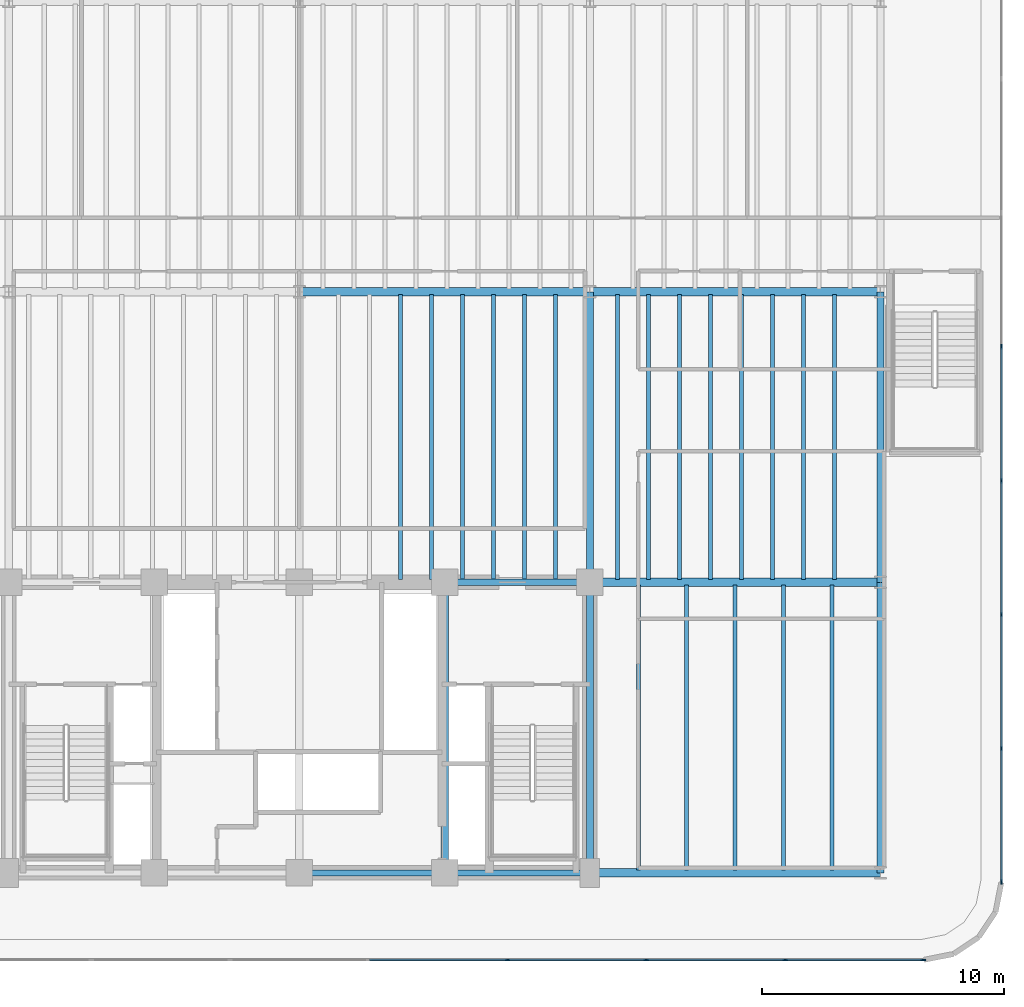
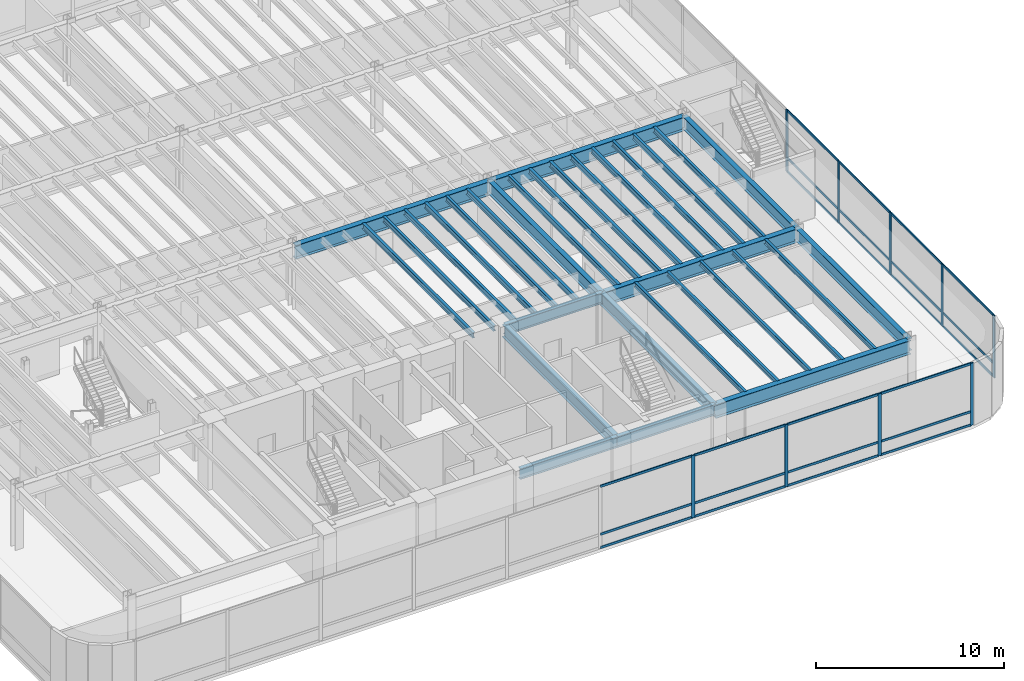
# One storey, part 5 of 18: 33 members, 31 beams, 2 elements without a shape of their own.
"""IFC4 building model written with IfcOpenShell, lengths in metres."""

from ifc_helpers import new_model, si_unit, direction, frame, origin, origin_2d, place, context, subcontext, project, spatial, rectangle, i_section, extrude, source, transform, mapped, material, layer, layer_set, material_profile, profile_set, type_object, element, aggregate, save


model = new_model("IFC4")

# Units and contexts
model_context = context("Model", 3, precision=1e-05, world=origin(), true_north=direction((0.0, 1.0)))
body_context = subcontext(model_context, "Body", "Model", "MODEL_VIEW")
ifc_project = project(units=[si_unit("LENGTHUNIT", "METRE"), si_unit("AREAUNIT", "SQUARE_METRE"), si_unit("VOLUMEUNIT", "CUBIC_METRE"), si_unit("PLANEANGLEUNIT", "RADIAN"), si_unit("MASSUNIT", "GRAM", prefix="KILO")], contexts=[model_context])

# Site, building, storey
site_placement = place(None, origin())
site = spatial("IfcSite", under=ifc_project, at=site_placement, CompositionType="ELEMENT")
building_placement = place(site_placement, origin())
building = spatial("IfcBuilding", under=site, at=building_placement, Name="Brelvock Crest Care Tower", CompositionType="ELEMENT")
storey_placement = place(building_placement, frame((0.0, 0.0, 5.39990234375)))
storey = spatial("IfcBuildingStorey", under=building, at=storey_placement, Name="L01", CompositionType="ELEMENT", Elevation=5.39990234375)

# Beams
ifc_material_1 = material(Name="Steel Grade 350", Category="steel")
ifc_material_profile_1 = material_profile(ifc_material_1, i_section(OverallWidth=0.25, OverallDepth=0.699951171875, WebThickness=0.011962890625, FlangeThickness=0.02001953125, at=origin_2d()), Name="700WB150")
ifc_profile_set_1 = profile_set([ifc_material_profile_1], Name="Steel Grade 350")
beam_type_1 = type_object("IfcBeamType", Name="BM-G4", PredefinedType="BEAM", material=ifc_profile_set_1)
shared_shape_1 = source(origin(), body_context, "Body", "SweptSolid", [
    extrude(i_section(OverallWidth=0.25, OverallDepth=0.699951171875, WebThickness=0.011962890625, FlangeThickness=0.02001953125, at=origin_2d()), origin(), (0.0, 0.0, 1.0), 6.0),
])
for number, where, z_axis, x_axis, name in (
    (1, (36.0, 6.0, 3.690185546875), (1.0, 0.0, 0.0), (0.0, 1.0, 0.0), "BM-CORES-L01-3"),
    (2, (42.0, 6.0, 3.690185546875), (1.0, 0.0, 0.0), (0.0, 1.0, 0.0), "BM-CORES-L01-4"),
    (3, (42.0, 18.0, 3.690185546875), (1.0, 0.0, 0.0), (0.0, 1.0, 0.0), "BM-COREN-L01-4"),
):
    element("IfcBeam", number, at=place(storey_placement, frame(where, z_axis=z_axis, x_axis=x_axis)), inside=storey, type_object=beam_type_1, Name=name, PredefinedType="BEAM", context=body_context, shape_type="MappedRepresentation", body=[
        mapped(shared_shape_1, transform((0.0, 0.0, 0.0), x_axis=(1.0, 0.0, 0.0), y_axis=(0.0, 1.0, 0.0), z_axis=(0.0, 0.0, 1.0), scale=1.0)),
    ])
ifc_material_profile_2 = material_profile(ifc_material_1, i_section(OverallWidth=0.300048828125, OverallDepth=0.800048828125, WebThickness=0.013916015625, FlangeThickness=0.02197265625, at=origin_2d()), Name="800WB192")
ifc_profile_set_2 = profile_set([ifc_material_profile_2], Name="Steel Grade 350")
beam_type_2 = type_object("IfcBeamType", Name="BM-G5", PredefinedType="BEAM", material=ifc_profile_set_2)
shared_shape_2 = source(origin(), body_context, "Body", "SweptSolid", [
    extrude(i_section(OverallWidth=0.300048828125, OverallDepth=0.800048828125, WebThickness=0.013916015625, FlangeThickness=0.02197265625, at=origin_2d()), origin(), (0.0, 0.0, 1.0), 12.0),
])
for number, where, z_axis, x_axis, name in (
    (4, (42.0, 6.0, 3.64013671875), (0.0, 1.0, 0.0), (-1.0, 0.0, 0.0), "BM-COREX-L01-4"),
    (5, (48.0, 6.0, 3.64013671875), (0.0, 1.0, 0.0), (-1.0, 0.0, 0.0), "BM-COREX-L01-5"),
    (6, (48.0, 18.0, 3.64013671875), (0.0, 1.0, 0.0), (-1.0, 0.0, 0.0), "BM-PODY-L01-48-18"),
    (7, (60.0, 6.0, 3.64013671875), (0.0, 1.0, 0.0), (-1.0, 0.0, 0.0), "BM-PODY-L01-60-6"),
    (8, (60.0, 18.0, 3.64013671875), (0.0, 1.0, 0.0), (-1.0, 0.0, 0.0), "BM-PODY-L01-60-18"),
):
    element("IfcBeam", number, at=place(storey_placement, frame(where, z_axis=z_axis, x_axis=x_axis)), inside=storey, type_object=beam_type_2, Name=name, PredefinedType="BEAM", context=body_context, shape_type="MappedRepresentation", body=[
        mapped(shared_shape_2, transform((0.0, 0.0, 0.0), x_axis=(1.0, 0.0, 0.0), y_axis=(0.0, 1.0, 0.0), z_axis=(0.0, 0.0, 1.0), scale=1.0)),
    ])
ifc_material_profile_3 = material_profile(ifc_material_1, i_section(OverallWidth=0.35009765625, OverallDepth=0.89990234375, WebThickness=0.01611328125, FlangeThickness=0.028076171875, at=origin_2d()), Name="900WB257")
ifc_profile_set_3 = profile_set([ifc_material_profile_3], Name="Steel Grade 350")
beam_type_3 = type_object("IfcBeamType", Name="BM-G6", PredefinedType="BEAM", material=ifc_profile_set_3)
shared_shape_3 = source(origin(), body_context, "Body", "SweptSolid", [
    extrude(i_section(OverallWidth=0.35009765625, OverallDepth=0.89990234375, WebThickness=0.01611328125, FlangeThickness=0.028076171875, at=origin_2d()), origin(), (0.0, 0.0, 1.0), 12.0),
])
for number, where, z_axis, x_axis, name in (
    (9, (48.0, 6.0, 3.590087890625), (1.0, 0.0, 0.0), (0.0, 1.0, 0.0), "BM-PODX-L01-6-48"),
    (10, (48.0, 18.0, 3.590087890625), (1.0, 0.0, 0.0), (0.0, 1.0, 0.0), "BM-PODX-L01-18-48"),
    (11, (36.0, 30.0, 3.590087890625), (1.0, 0.0, 0.0), (0.0, 1.0, 0.0), "BM-PODX-L01-30-36"),
    (12, (48.0, 30.0, 3.590087890625), (1.0, 0.0, 0.0), (0.0, 1.0, 0.0), "BM-PODX-L01-30-48"),
):
    element("IfcBeam", number, at=place(storey_placement, frame(where, z_axis=z_axis, x_axis=x_axis)), inside=storey, type_object=beam_type_3, Name=name, PredefinedType="BEAM", context=body_context, shape_type="MappedRepresentation", body=[
        mapped(shared_shape_3, transform((0.0, 0.0, 0.0), x_axis=(1.0, 0.0, 0.0), y_axis=(0.0, 1.0, 0.0), z_axis=(0.0, 0.0, 1.0), scale=1.0)),
    ])
ifc_material_profile_4 = material_profile(ifc_material_1, i_section(OverallWidth=0.172119140625, OverallDepth=0.35888671875, WebThickness=0.008056640625, FlangeThickness=0.012939453125, FilletRadius=0.011474609375, at=origin_2d()), Name="360UB56.7")
ifc_profile_set_4 = profile_set([ifc_material_profile_4], Name="Steel Grade 350")
beam_type_4 = type_object("IfcBeamType", Name="BM-J1", PredefinedType="JOIST", material=ifc_profile_set_4)
shared_shape_4 = source(origin(), body_context, "Body", "SweptSolid", [
    extrude(i_section(OverallWidth=0.172119140625, OverallDepth=0.35888671875, WebThickness=0.008056640625, FlangeThickness=0.012939453125, FilletRadius=0.011474609375, at=origin_2d()), origin(), (0.0, 0.0, 1.0), 11.77001953125),
])
for number, where, z_axis, x_axis, name in (
    (13, (40.179931640625, 18.114990234375, 3.860595703125), (0.0, 1.0, 0.0), (-1.0, 0.0, 0.0), "BM-PODJ-L01-4018-18"),
    (14, (41.4599609375, 18.114990234375, 3.860595703125), (0.0, 1.0, 0.0), (-1.0, 0.0, 0.0), "BM-PODJ-L01-4146-18"),
    (15, (42.739990234375, 18.114990234375, 3.860595703125), (0.0, 1.0, 0.0), (-1.0, 0.0, 0.0), "BM-PODJ-L01-4274-18"),
    (16, (44.02001953125, 18.114990234375, 3.860595703125), (0.0, 1.0, 0.0), (-1.0, 0.0, 0.0), "BM-PODJ-L01-4402-18"),
    (17, (45.300048828125, 18.114990234375, 3.860595703125), (0.0, 1.0, 0.0), (-1.0, 0.0, 0.0), "BM-PODJ-L01-4530-18"),
    (18, (46.580078125, 18.114990234375, 3.860595703125), (0.0, 1.0, 0.0), (-1.0, 0.0, 0.0), "BM-PODJ-L01-4658-18"),
    (19, (49.139892578125, 18.114990234375, 3.860595703125), (0.0, 1.0, 0.0), (-1.0, 0.0, 0.0), "BM-PODJ-L01-4914-18"),
    (20, (50.419921875, 18.114990234375, 3.860595703125), (0.0, 1.0, 0.0), (-1.0, 0.0, 0.0), "BM-PODJ-L01-5042-18"),
    (21, (51.699951171875, 18.114990234375, 3.860595703125), (0.0, 1.0, 0.0), (-1.0, 0.0, 0.0), "BM-PODJ-L01-5170-18"),
    (22, (52.97998046875, 18.114990234375, 3.860595703125), (0.0, 1.0, 0.0), (-1.0, 0.0, 0.0), "BM-PODJ-L01-5298-18"),
    (23, (54.260009765625, 18.114990234375, 3.860595703125), (0.0, 1.0, 0.0), (-1.0, 0.0, 0.0), "BM-PODJ-L01-5426-18"),
    (24, (55.5400390625, 18.114990234375, 3.860595703125), (0.0, 1.0, 0.0), (-1.0, 0.0, 0.0), "BM-PODJ-L01-5554-18"),
    (25, (56.820068359375, 18.114990234375, 3.860595703125), (0.0, 1.0, 0.0), (-1.0, 0.0, 0.0), "BM-PODJ-L01-5682-18"),
    (26, (58.10009765625, 18.114990234375, 3.860595703125), (0.0, 1.0, 0.0), (-1.0, 0.0, 0.0), "BM-PODJ-L01-5810-18"),
):
    element("IfcBeam", number, at=place(storey_placement, frame(where, z_axis=z_axis, x_axis=x_axis)), inside=storey, type_object=beam_type_4, Name=name, PredefinedType="JOIST", context=body_context, shape_type="MappedRepresentation", body=[
        mapped(shared_shape_4, transform((0.0, 0.0, 0.0), x_axis=(1.0, 0.0, 0.0), y_axis=(0.0, 1.0, 0.0), z_axis=(0.0, 0.0, 1.0), scale=1.0)),
    ])
ifc_material_profile_5 = material_profile(ifc_material_1, i_section(OverallWidth=0.166015625, OverallDepth=0.306884765625, WebThickness=0.006591796875, FlangeThickness=0.01171875, FilletRadius=0.011474609375, at=origin_2d()), Name="310UB46.2")
ifc_profile_set_5 = profile_set([ifc_material_profile_5], Name="Steel Grade 350")
beam_type_5 = type_object("IfcBeamType", Name="BM-J2", PredefinedType="JOIST", material=ifc_profile_set_5)
shared_shape_5 = source(origin(), body_context, "Body", "SweptSolid", [
    extrude(i_section(OverallWidth=0.166015625, OverallDepth=0.306884765625, WebThickness=0.006591796875, FlangeThickness=0.01171875, FilletRadius=0.011474609375, at=origin_2d()), origin(), (0.0, 0.0, 1.0), 11.77001953125),
])
for number, where, z_axis, x_axis, name in (
    (27, (50.0, 6.114990234375, 3.88671875), (0.0, 1.0, 0.0), (-1.0, 0.0, 0.0), "BM-PODSJ-L01-500"),
    (28, (52.0, 6.114990234375, 3.88671875), (0.0, 1.0, 0.0), (-1.0, 0.0, 0.0), "BM-PODSJ-L01-520"),
    (29, (54.0, 6.114990234375, 3.88671875), (0.0, 1.0, 0.0), (-1.0, 0.0, 0.0), "BM-PODSJ-L01-540"),
    (30, (56.0, 6.114990234375, 3.88671875), (0.0, 1.0, 0.0), (-1.0, 0.0, 0.0), "BM-PODSJ-L01-560"),
    (31, (58.0, 6.114990234375, 3.88671875), (0.0, 1.0, 0.0), (-1.0, 0.0, 0.0), "BM-PODSJ-L01-580"),
):
    element("IfcBeam", number, at=place(storey_placement, frame(where, z_axis=z_axis, x_axis=x_axis)), inside=storey, type_object=beam_type_5, Name=name, PredefinedType="JOIST", context=body_context, shape_type="MappedRepresentation", body=[
        mapped(shared_shape_5, transform((0.0, 0.0, 0.0), x_axis=(1.0, 0.0, 0.0), y_axis=(0.0, 1.0, 0.0), z_axis=(0.0, 0.0, 1.0), scale=1.0)),
    ])

# Curtain wall, members
ifc_material_2 = material(Name="Dark Glass Double Glazed Low-E", Category="glass")
ifc_layer = layer(ifc_material_2, 0.179931640625, Name="CWS-1")
ifc_layer_set = layer_set([ifc_layer], Name="Dark Glass Double Glazed Low-E")
curtain_wall_type = type_object("IfcCurtainWallType", Name="CWS-1", PredefinedType="NOTDEFINED", material=ifc_layer_set)
curtain_wall_1_placement = place(storey_placement, origin())
curtain_wall_1 = element("IfcCurtainWall", 32, at=curtain_wall_1_placement, inside=storey, type_object=curtain_wall_type, Name="L01 Curtain Wall E14", PredefinedType="NOTDEFINED")
ifc_material_3 = material(Name="Aluminium 6063-T6", Category="aluminium")
ifc_material_profile_6 = material_profile(ifc_material_3, rectangle(XDim=0.06494140625, YDim=0.199951171875, at=origin_2d()), Name="ALU65x200")
ifc_profile_set_6 = profile_set([ifc_material_profile_6], Name="Aluminium 6063-T6")
member_type_1 = type_object("IfcMemberType", Name="CWM-1", PredefinedType="MULLION", material=ifc_profile_set_6)
shared_shape_6 = source(origin(), body_context, "Body", "SweptSolid", [
    extrude(rectangle(XDim=0.06494140625, YDim=0.199951171875, at=origin_2d()), origin(), (0.0, 0.0, 1.0), 4.0400390625),
])
member_1_placement = place(storey_placement, frame((65.0, 27.7333984375, 0.0), z_axis=(0.0, 0.0, 1.0), x_axis=(1.0, 0.0, 0.0)))
member_1 = element("IfcMember", 33, at=member_1_placement, type_object=member_type_1, Name="CW-1 mullion 6", PredefinedType="MULLION", context=body_context, shape_type="MappedRepresentation", body=[
    mapped(shared_shape_6, transform((0.0, 0.0, 0.0), x_axis=(1.0, 0.0, 0.0), y_axis=(0.0, 1.0, 0.0), z_axis=(0.0, 0.0, 1.0), scale=1.0)),
])
member_2_placement = place(storey_placement, frame((65.0, 22.199951171875, 0.0), z_axis=(0.0, 0.0, 1.0), x_axis=(1.0, 0.0, 0.0)))
member_2 = element("IfcMember", 34, at=member_2_placement, type_object=member_type_1, Name="CW-1 mullion 7", PredefinedType="MULLION", context=body_context, shape_type="MappedRepresentation", body=[
    mapped(shared_shape_6, transform((0.0, 0.0, 0.0), x_axis=(1.0, 0.0, 0.0), y_axis=(0.0, 1.0, 0.0), z_axis=(0.0, 0.0, 1.0), scale=1.0)),
])
member_3_placement = place(storey_placement, frame((65.0, 16.666748046875, 0.0), z_axis=(0.0, 0.0, 1.0), x_axis=(1.0, 0.0, 0.0)))
member_3 = element("IfcMember", 35, at=member_3_placement, type_object=member_type_1, Name="CW-1 mullion 8", PredefinedType="MULLION", context=body_context, shape_type="MappedRepresentation", body=[
    mapped(shared_shape_6, transform((0.0, 0.0, 0.0), x_axis=(1.0, 0.0, 0.0), y_axis=(0.0, 1.0, 0.0), z_axis=(0.0, 0.0, 1.0), scale=1.0)),
])
member_4_placement = place(storey_placement, frame((65.0, 11.13330078125, 0.0), z_axis=(0.0, 0.0, 1.0), x_axis=(1.0, 0.0, 0.0)))
member_4 = element("IfcMember", 36, at=member_4_placement, type_object=member_type_1, Name="CW-1 mullion 9", PredefinedType="MULLION", context=body_context, shape_type="MappedRepresentation", body=[
    mapped(shared_shape_6, transform((0.0, 0.0, 0.0), x_axis=(1.0, 0.0, 0.0), y_axis=(0.0, 1.0, 0.0), z_axis=(0.0, 0.0, 1.0), scale=1.0)),
])
member_5_placement = place(storey_placement, frame((65.0, 5.632568359375, 0.0), z_axis=(0.0, 0.0, 1.0), x_axis=(1.0, 0.0, 0.0)))
member_5 = element("IfcMember", 37, at=member_5_placement, type_object=member_type_1, Name="CW-1 mullion 10", PredefinedType="MULLION", context=body_context, shape_type="MappedRepresentation", body=[
    mapped(shared_shape_6, transform((0.0, 0.0, 0.0), x_axis=(1.0, 0.0, 0.0), y_axis=(0.0, 1.0, 0.0), z_axis=(0.0, 0.0, 1.0), scale=1.0)),
])

curtain_wall_2_placement = place(storey_placement, origin())
curtain_wall_2 = element("IfcCurtainWall", 38, at=curtain_wall_2_placement, inside=storey, type_object=curtain_wall_type, Name="L01 Curtain Wall E19", PredefinedType="NOTDEFINED")
member_6_placement = place(storey_placement, frame((61.767578125, 2.39990234375, 0.0), z_axis=(0.0, 0.0, 1.0), x_axis=(0.0, -1.0, 0.0)))
member_6 = element("IfcMember", 39, at=member_6_placement, type_object=member_type_1, Name="CW-1 mullion 1", PredefinedType="MULLION", context=body_context, shape_type="MappedRepresentation", body=[
    mapped(shared_shape_6, transform((0.0, 0.0, 0.0), x_axis=(1.0, 0.0, 0.0), y_axis=(0.0, 1.0, 0.0), z_axis=(0.0, 0.0, 1.0), scale=1.0)),
])
member_7_placement = place(storey_placement, frame((56.066650390625, 2.39990234375, 0.0), z_axis=(0.0, 0.0, 1.0), x_axis=(0.0, -1.0, 0.0)))
member_7 = element("IfcMember", 40, at=member_7_placement, type_object=member_type_1, Name="CW-1 mullion 2", PredefinedType="MULLION", context=body_context, shape_type="MappedRepresentation", body=[
    mapped(shared_shape_6, transform((0.0, 0.0, 0.0), x_axis=(1.0, 0.0, 0.0), y_axis=(0.0, 1.0, 0.0), z_axis=(0.0, 0.0, 1.0), scale=1.0)),
])
member_8_placement = place(storey_placement, frame((50.333251953125, 2.39990234375, 0.0), z_axis=(0.0, 0.0, 1.0), x_axis=(0.0, -1.0, 0.0)))
member_8 = element("IfcMember", 41, at=member_8_placement, type_object=member_type_1, Name="CW-1 mullion 3", PredefinedType="MULLION", context=body_context, shape_type="MappedRepresentation", body=[
    mapped(shared_shape_6, transform((0.0, 0.0, 0.0), x_axis=(1.0, 0.0, 0.0), y_axis=(0.0, 1.0, 0.0), z_axis=(0.0, 0.0, 1.0), scale=1.0)),
])
member_9_placement = place(storey_placement, frame((44.60009765625, 2.39990234375, 0.0), z_axis=(0.0, 0.0, 1.0), x_axis=(0.0, -1.0, 0.0)))
member_9 = element("IfcMember", 42, at=member_9_placement, type_object=member_type_1, Name="CW-1 mullion 4", PredefinedType="MULLION", context=body_context, shape_type="MappedRepresentation", body=[
    mapped(shared_shape_6, transform((0.0, 0.0, 0.0), x_axis=(1.0, 0.0, 0.0), y_axis=(0.0, 1.0, 0.0), z_axis=(0.0, 0.0, 1.0), scale=1.0)),
])

# Member
ifc_material_profile_7 = material_profile(ifc_material_3, rectangle(XDim=0.06494140625, YDim=0.14990234375, at=origin_2d()), Name="ALU65x150")
ifc_profile_set_7 = profile_set([ifc_material_profile_7], Name="Aluminium 6063-T6")
member_type_2 = type_object("IfcMemberType", Name="CWT-1", PredefinedType="USERDEFINED", material=ifc_profile_set_7)
shared_shape_7 = source(origin(), body_context, "Body", "SweptSolid", [
    extrude(rectangle(XDim=0.06494140625, YDim=0.14990234375, at=origin_2d()), origin(), (0.0, 0.0, 1.0), 5.435791015625),
])
member_10_placement = place(storey_placement, frame((65.0, 11.100830078125, 0.03271484375), z_axis=(0.0, -1.0, 0.0), x_axis=(1.0, 0.0, 0.0)))
member_10 = element("IfcMember", 43, at=member_10_placement, type_object=member_type_2, Name="CW-1 transom 9.1", ObjectType="TRANSOM", PredefinedType="USERDEFINED", context=body_context, shape_type="MappedRepresentation", body=[
    mapped(shared_shape_7, transform((0.0, 0.0, 0.0), x_axis=(1.0, 0.0, 0.0), y_axis=(0.0, 1.0, 0.0), z_axis=(0.0, 0.0, 1.0), scale=1.0)),
])

member_11_placement = place(storey_placement, frame((65.0, 11.100830078125, 0.900146484375), z_axis=(0.0, -1.0, 0.0), x_axis=(1.0, 0.0, 0.0)))
member_11 = element("IfcMember", 44, at=member_11_placement, type_object=member_type_2, Name="CW-1 transom 9.2", ObjectType="TRANSOM", PredefinedType="USERDEFINED", context=body_context, shape_type="MappedRepresentation", body=[
    mapped(shared_shape_7, transform((0.0, 0.0, 0.0), x_axis=(1.0, 0.0, 0.0), y_axis=(0.0, 1.0, 0.0), z_axis=(0.0, 0.0, 1.0), scale=1.0)),
])

member_12_placement = place(storey_placement, frame((65.0, 11.100830078125, 4.007568359375), z_axis=(0.0, -1.0, 0.0), x_axis=(1.0, 0.0, 0.0)))
member_12 = element("IfcMember", 45, at=member_12_placement, type_object=member_type_2, Name="CW-1 transom 9.3", ObjectType="TRANSOM", PredefinedType="USERDEFINED", context=body_context, shape_type="MappedRepresentation", body=[
    mapped(shared_shape_7, transform((0.0, 0.0, 0.0), x_axis=(1.0, 0.0, 0.0), y_axis=(0.0, 1.0, 0.0), z_axis=(0.0, 0.0, 1.0), scale=1.0)),
])

shared_shape_8 = source(origin(), body_context, "Body", "SweptSolid", [
    extrude(rectangle(XDim=0.06494140625, YDim=0.14990234375, at=origin_2d()), origin(), (0.0, 0.0, 1.0), 5.468505859375),
])
member_13_placement = place(storey_placement, frame((65.0, 27.700927734375, 0.03271484375), z_axis=(0.0, -1.0, 0.0), x_axis=(1.0, 0.0, 0.0)))
member_13 = element("IfcMember", 46, at=member_13_placement, type_object=member_type_2, Name="CW-1 transom 6.1", ObjectType="TRANSOM", PredefinedType="USERDEFINED", context=body_context, shape_type="MappedRepresentation", body=[
    mapped(shared_shape_8, transform((0.0, 0.0, 0.0), x_axis=(1.0, 0.0, 0.0), y_axis=(0.0, 1.0, 0.0), z_axis=(0.0, 0.0, 1.0), scale=1.0)),
])

member_14_placement = place(storey_placement, frame((65.0, 27.700927734375, 0.900146484375), z_axis=(0.0, -1.0, 0.0), x_axis=(1.0, 0.0, 0.0)))
member_14 = element("IfcMember", 47, at=member_14_placement, type_object=member_type_2, Name="CW-1 transom 6.2", ObjectType="TRANSOM", PredefinedType="USERDEFINED", context=body_context, shape_type="MappedRepresentation", body=[
    mapped(shared_shape_8, transform((0.0, 0.0, 0.0), x_axis=(1.0, 0.0, 0.0), y_axis=(0.0, 1.0, 0.0), z_axis=(0.0, 0.0, 1.0), scale=1.0)),
])

member_15_placement = place(storey_placement, frame((65.0, 27.700927734375, 4.007568359375), z_axis=(0.0, -1.0, 0.0), x_axis=(1.0, 0.0, 0.0)))
member_15 = element("IfcMember", 48, at=member_15_placement, type_object=member_type_2, Name="CW-1 transom 6.3", ObjectType="TRANSOM", PredefinedType="USERDEFINED", context=body_context, shape_type="MappedRepresentation", body=[
    mapped(shared_shape_8, transform((0.0, 0.0, 0.0), x_axis=(1.0, 0.0, 0.0), y_axis=(0.0, 1.0, 0.0), z_axis=(0.0, 0.0, 1.0), scale=1.0)),
])

member_16_placement = place(storey_placement, frame((65.0, 16.63427734375, 0.03271484375), z_axis=(0.0, -1.0, 0.0), x_axis=(1.0, 0.0, 0.0)))
member_16 = element("IfcMember", 49, at=member_16_placement, type_object=member_type_2, Name="CW-1 transom 8.1", ObjectType="TRANSOM", PredefinedType="USERDEFINED", context=body_context, shape_type="MappedRepresentation", body=[
    mapped(shared_shape_8, transform((0.0, 0.0, 0.0), x_axis=(1.0, 0.0, 0.0), y_axis=(0.0, 1.0, 0.0), z_axis=(0.0, 0.0, 1.0), scale=1.0)),
])

member_17_placement = place(storey_placement, frame((65.0, 16.63427734375, 0.900146484375), z_axis=(0.0, -1.0, 0.0), x_axis=(1.0, 0.0, 0.0)))
member_17 = element("IfcMember", 50, at=member_17_placement, type_object=member_type_2, Name="CW-1 transom 8.2", ObjectType="TRANSOM", PredefinedType="USERDEFINED", context=body_context, shape_type="MappedRepresentation", body=[
    mapped(shared_shape_8, transform((0.0, 0.0, 0.0), x_axis=(1.0, 0.0, 0.0), y_axis=(0.0, 1.0, 0.0), z_axis=(0.0, 0.0, 1.0), scale=1.0)),
])

member_18_placement = place(storey_placement, frame((65.0, 16.63427734375, 4.007568359375), z_axis=(0.0, -1.0, 0.0), x_axis=(1.0, 0.0, 0.0)))
member_18 = element("IfcMember", 51, at=member_18_placement, type_object=member_type_2, Name="CW-1 transom 8.3", ObjectType="TRANSOM", PredefinedType="USERDEFINED", context=body_context, shape_type="MappedRepresentation", body=[
    mapped(shared_shape_8, transform((0.0, 0.0, 0.0), x_axis=(1.0, 0.0, 0.0), y_axis=(0.0, 1.0, 0.0), z_axis=(0.0, 0.0, 1.0), scale=1.0)),
])

shared_shape_9 = source(origin(), body_context, "Body", "SweptSolid", [
    extrude(rectangle(XDim=0.06494140625, YDim=0.14990234375, at=origin_2d()), origin(), (0.0, 0.0, 1.0), 5.46826171875),
])
member_19_placement = place(storey_placement, frame((65.0, 22.16748046875, 0.03271484375), z_axis=(0.0, -1.0, 0.0), x_axis=(1.0, 0.0, 0.0)))
member_19 = element("IfcMember", 52, at=member_19_placement, type_object=member_type_2, Name="CW-1 transom 7.1", ObjectType="TRANSOM", PredefinedType="USERDEFINED", context=body_context, shape_type="MappedRepresentation", body=[
    mapped(shared_shape_9, transform((0.0, 0.0, 0.0), x_axis=(1.0, 0.0, 0.0), y_axis=(0.0, 1.0, 0.0), z_axis=(0.0, 0.0, 1.0), scale=1.0)),
])

member_20_placement = place(storey_placement, frame((65.0, 22.16748046875, 0.900146484375), z_axis=(0.0, -1.0, 0.0), x_axis=(1.0, 0.0, 0.0)))
member_20 = element("IfcMember", 53, at=member_20_placement, type_object=member_type_2, Name="CW-1 transom 7.2", ObjectType="TRANSOM", PredefinedType="USERDEFINED", context=body_context, shape_type="MappedRepresentation", body=[
    mapped(shared_shape_9, transform((0.0, 0.0, 0.0), x_axis=(1.0, 0.0, 0.0), y_axis=(0.0, 1.0, 0.0), z_axis=(0.0, 0.0, 1.0), scale=1.0)),
])

member_21_placement = place(storey_placement, frame((65.0, 22.16748046875, 4.007568359375), z_axis=(0.0, -1.0, 0.0), x_axis=(1.0, 0.0, 0.0)))
member_21 = element("IfcMember", 54, at=member_21_placement, type_object=member_type_2, Name="CW-1 transom 7.3", ObjectType="TRANSOM", PredefinedType="USERDEFINED", context=body_context, shape_type="MappedRepresentation", body=[
    mapped(shared_shape_9, transform((0.0, 0.0, 0.0), x_axis=(1.0, 0.0, 0.0), y_axis=(0.0, 1.0, 0.0), z_axis=(0.0, 0.0, 1.0), scale=1.0)),
])

aggregate(curtain_wall_1, [member_1, member_2, member_3, member_4, member_5, member_13, member_14, member_15, member_19, member_20, member_21, member_16, member_17, member_18, member_10, member_11, member_12])

shared_shape_10 = source(origin(), body_context, "Body", "SweptSolid", [
    extrude(rectangle(XDim=0.06494140625, YDim=0.14990234375, at=origin_2d()), origin(), (0.0, 0.0, 1.0), 5.635986328125),
])
member_22_placement = place(storey_placement, frame((61.735107421875, 2.39990234375, 0.03271484375), z_axis=(-1.0, 0.0, 0.0), x_axis=(0.0, -1.0, 0.0)))
member_22 = element("IfcMember", 55, at=member_22_placement, type_object=member_type_2, Name="CW-1 transom 1.1", ObjectType="TRANSOM", PredefinedType="USERDEFINED", context=body_context, shape_type="MappedRepresentation", body=[
    mapped(shared_shape_10, transform((0.0, 0.0, 0.0), x_axis=(1.0, 0.0, 0.0), y_axis=(0.0, 1.0, 0.0), z_axis=(0.0, 0.0, 1.0), scale=1.0)),
])

member_23_placement = place(storey_placement, frame((61.735107421875, 2.39990234375, 0.900146484375), z_axis=(-1.0, 0.0, 0.0), x_axis=(0.0, -1.0, 0.0)))
member_23 = element("IfcMember", 56, at=member_23_placement, type_object=member_type_2, Name="CW-1 transom 1.2", ObjectType="TRANSOM", PredefinedType="USERDEFINED", context=body_context, shape_type="MappedRepresentation", body=[
    mapped(shared_shape_10, transform((0.0, 0.0, 0.0), x_axis=(1.0, 0.0, 0.0), y_axis=(0.0, 1.0, 0.0), z_axis=(0.0, 0.0, 1.0), scale=1.0)),
])

member_24_placement = place(storey_placement, frame((61.735107421875, 2.39990234375, 4.007568359375), z_axis=(-1.0, 0.0, 0.0), x_axis=(0.0, -1.0, 0.0)))
member_24 = element("IfcMember", 57, at=member_24_placement, type_object=member_type_2, Name="CW-1 transom 1.3", ObjectType="TRANSOM", PredefinedType="USERDEFINED", context=body_context, shape_type="MappedRepresentation", body=[
    mapped(shared_shape_10, transform((0.0, 0.0, 0.0), x_axis=(1.0, 0.0, 0.0), y_axis=(0.0, 1.0, 0.0), z_axis=(0.0, 0.0, 1.0), scale=1.0)),
])

shared_shape_11 = source(origin(), body_context, "Body", "SweptSolid", [
    extrude(rectangle(XDim=0.06494140625, YDim=0.14990234375, at=origin_2d()), origin(), (0.0, 0.0, 1.0), 5.66845703125),
])
member_25_placement = place(storey_placement, frame((56.0341796875, 2.39990234375, 0.03271484375), z_axis=(-1.0, 0.0, 0.0), x_axis=(0.0, -1.0, 0.0)))
member_25 = element("IfcMember", 58, at=member_25_placement, type_object=member_type_2, Name="CW-1 transom 2.1", ObjectType="TRANSOM", PredefinedType="USERDEFINED", context=body_context, shape_type="MappedRepresentation", body=[
    mapped(shared_shape_11, transform((0.0, 0.0, 0.0), x_axis=(1.0, 0.0, 0.0), y_axis=(0.0, 1.0, 0.0), z_axis=(0.0, 0.0, 1.0), scale=1.0)),
])

member_26_placement = place(storey_placement, frame((56.0341796875, 2.39990234375, 0.900146484375), z_axis=(-1.0, 0.0, 0.0), x_axis=(0.0, -1.0, 0.0)))
member_26 = element("IfcMember", 59, at=member_26_placement, type_object=member_type_2, Name="CW-1 transom 2.2", ObjectType="TRANSOM", PredefinedType="USERDEFINED", context=body_context, shape_type="MappedRepresentation", body=[
    mapped(shared_shape_11, transform((0.0, 0.0, 0.0), x_axis=(1.0, 0.0, 0.0), y_axis=(0.0, 1.0, 0.0), z_axis=(0.0, 0.0, 1.0), scale=1.0)),
])

member_27_placement = place(storey_placement, frame((56.0341796875, 2.39990234375, 4.007568359375), z_axis=(-1.0, 0.0, 0.0), x_axis=(0.0, -1.0, 0.0)))
member_27 = element("IfcMember", 60, at=member_27_placement, type_object=member_type_2, Name="CW-1 transom 2.3", ObjectType="TRANSOM", PredefinedType="USERDEFINED", context=body_context, shape_type="MappedRepresentation", body=[
    mapped(shared_shape_11, transform((0.0, 0.0, 0.0), x_axis=(1.0, 0.0, 0.0), y_axis=(0.0, 1.0, 0.0), z_axis=(0.0, 0.0, 1.0), scale=1.0)),
])

shared_shape_12 = source(origin(), body_context, "Body", "SweptSolid", [
    extrude(rectangle(XDim=0.06494140625, YDim=0.14990234375, at=origin_2d()), origin(), (0.0, 0.0, 1.0), 5.668212890625),
])
member_28_placement = place(storey_placement, frame((50.30078125, 2.39990234375, 0.03271484375), z_axis=(-1.0, 0.0, 0.0), x_axis=(0.0, -1.0, 0.0)))
member_28 = element("IfcMember", 61, at=member_28_placement, type_object=member_type_2, Name="CW-1 transom 3.1", ObjectType="TRANSOM", PredefinedType="USERDEFINED", context=body_context, shape_type="MappedRepresentation", body=[
    mapped(shared_shape_12, transform((0.0, 0.0, 0.0), x_axis=(1.0, 0.0, 0.0), y_axis=(0.0, 1.0, 0.0), z_axis=(0.0, 0.0, 1.0), scale=1.0)),
])

member_29_placement = place(storey_placement, frame((50.30078125, 2.39990234375, 0.900146484375), z_axis=(-1.0, 0.0, 0.0), x_axis=(0.0, -1.0, 0.0)))
member_29 = element("IfcMember", 62, at=member_29_placement, type_object=member_type_2, Name="CW-1 transom 3.2", ObjectType="TRANSOM", PredefinedType="USERDEFINED", context=body_context, shape_type="MappedRepresentation", body=[
    mapped(shared_shape_12, transform((0.0, 0.0, 0.0), x_axis=(1.0, 0.0, 0.0), y_axis=(0.0, 1.0, 0.0), z_axis=(0.0, 0.0, 1.0), scale=1.0)),
])

member_30_placement = place(storey_placement, frame((50.30078125, 2.39990234375, 4.007568359375), z_axis=(-1.0, 0.0, 0.0), x_axis=(0.0, -1.0, 0.0)))
member_30 = element("IfcMember", 63, at=member_30_placement, type_object=member_type_2, Name="CW-1 transom 3.3", ObjectType="TRANSOM", PredefinedType="USERDEFINED", context=body_context, shape_type="MappedRepresentation", body=[
    mapped(shared_shape_12, transform((0.0, 0.0, 0.0), x_axis=(1.0, 0.0, 0.0), y_axis=(0.0, 1.0, 0.0), z_axis=(0.0, 0.0, 1.0), scale=1.0)),
])

member_31_placement = place(storey_placement, frame((44.5673828125, 2.39990234375, 0.03271484375), z_axis=(-1.0, 0.0, 0.0), x_axis=(0.0, -1.0, 0.0)))
member_31 = element("IfcMember", 64, at=member_31_placement, type_object=member_type_2, Name="CW-1 transom 4.1", ObjectType="TRANSOM", PredefinedType="USERDEFINED", context=body_context, shape_type="MappedRepresentation", body=[
    mapped(shared_shape_12, transform((0.0, 0.0, 0.0), x_axis=(1.0, 0.0, 0.0), y_axis=(0.0, 1.0, 0.0), z_axis=(0.0, 0.0, 1.0), scale=1.0)),
])

member_32_placement = place(storey_placement, frame((44.5673828125, 2.39990234375, 0.900146484375), z_axis=(-1.0, 0.0, 0.0), x_axis=(0.0, -1.0, 0.0)))
member_32 = element("IfcMember", 65, at=member_32_placement, type_object=member_type_2, Name="CW-1 transom 4.2", ObjectType="TRANSOM", PredefinedType="USERDEFINED", context=body_context, shape_type="MappedRepresentation", body=[
    mapped(shared_shape_12, transform((0.0, 0.0, 0.0), x_axis=(1.0, 0.0, 0.0), y_axis=(0.0, 1.0, 0.0), z_axis=(0.0, 0.0, 1.0), scale=1.0)),
])

member_33_placement = place(storey_placement, frame((44.5673828125, 2.39990234375, 4.007568359375), z_axis=(-1.0, 0.0, 0.0), x_axis=(0.0, -1.0, 0.0)))
member_33 = element("IfcMember", 66, at=member_33_placement, type_object=member_type_2, Name="CW-1 transom 4.3", ObjectType="TRANSOM", PredefinedType="USERDEFINED", context=body_context, shape_type="MappedRepresentation", body=[
    mapped(shared_shape_12, transform((0.0, 0.0, 0.0), x_axis=(1.0, 0.0, 0.0), y_axis=(0.0, 1.0, 0.0), z_axis=(0.0, 0.0, 1.0), scale=1.0)),
])

aggregate(curtain_wall_2, [member_6, member_7, member_8, member_9, member_22, member_23, member_24, member_25, member_26, member_27, member_28, member_29, member_30, member_31, member_32, member_33])

save(model, "model.ifc")
